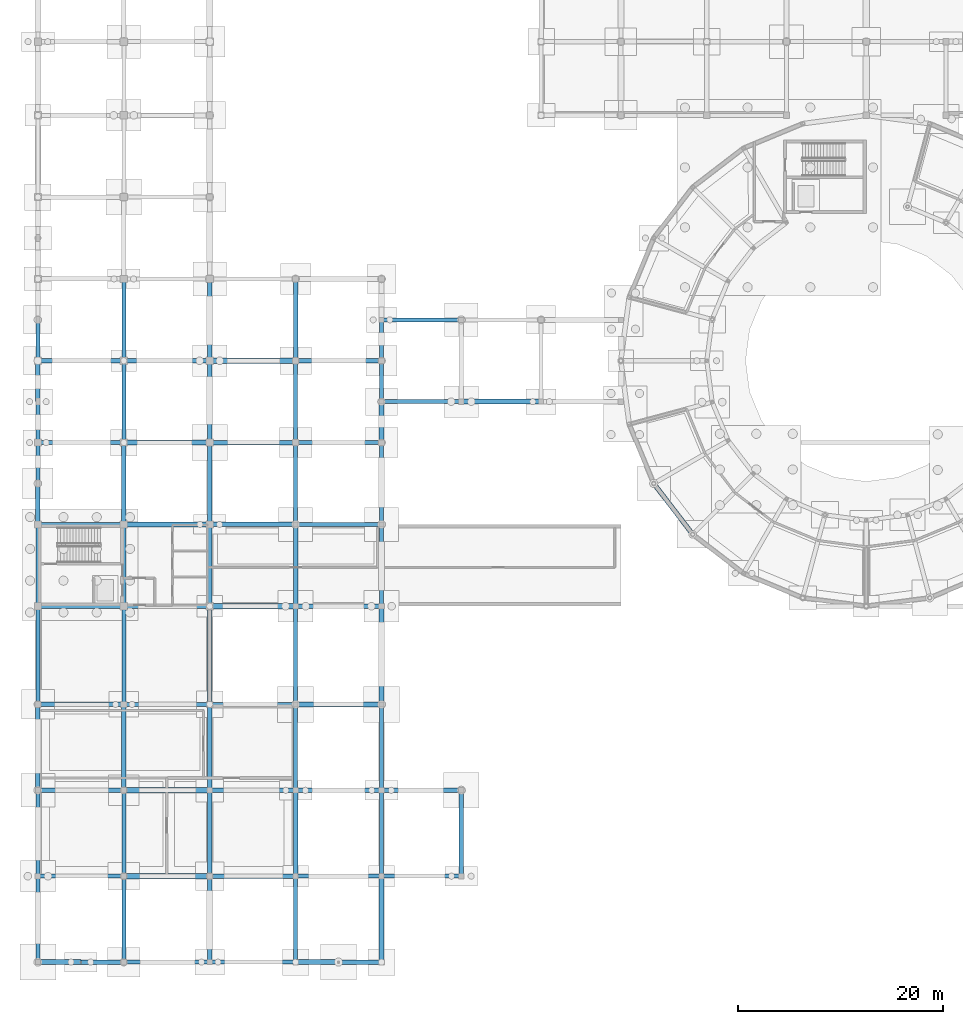
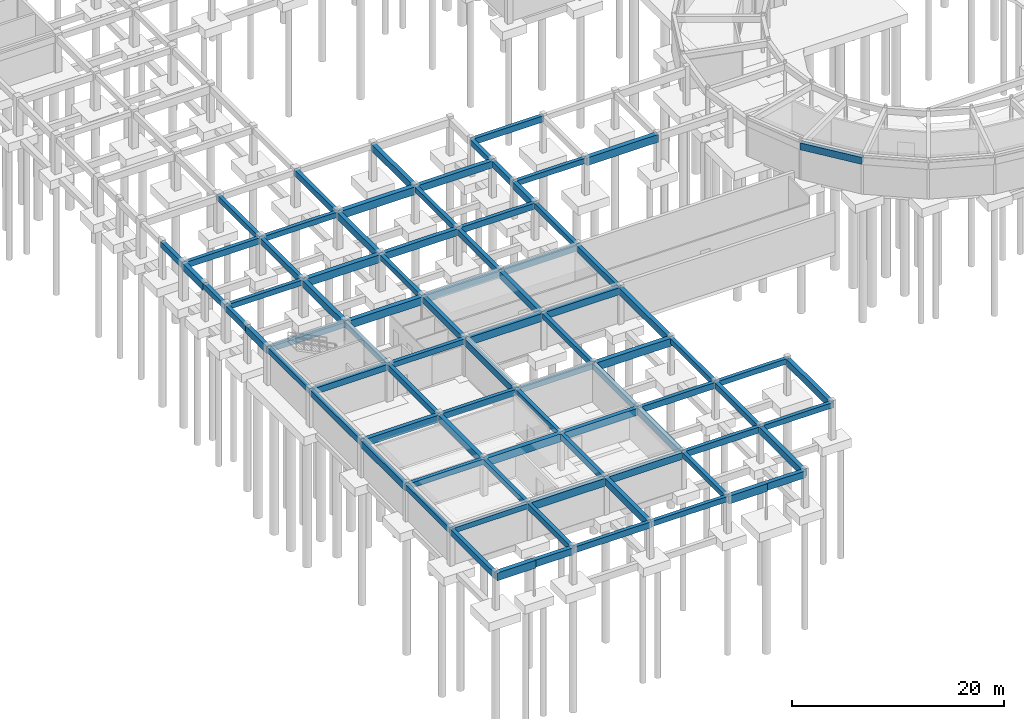
# One storey, part 24 of 43: 84 beams.
"""IFC4 building model written with IfcOpenShell, lengths in metres."""

from ifc_helpers import new_model, si_unit, derived_unit, direction, frame, origin, origin_2d, place, context, subcontext, project, spatial, rectangle, extrude, material, material_profile, profile_set, type_object, element, save


model = new_model("IFC4")

# Units and contexts
model_context = context("Model", 3, precision=1e-05, world=origin(), true_north=direction((0.0, 1.0)))
body_context = subcontext(model_context, "Body", "Model", "MODEL_VIEW")
ifc_project = project(units=[si_unit("LENGTHUNIT", "METRE"), si_unit("AREAUNIT", "SQUARE_METRE"), si_unit("VOLUMEUNIT", "CUBIC_METRE"), si_unit("PLANEANGLEUNIT", "RADIAN"), si_unit("MASSUNIT", "GRAM", prefix="KILO"), derived_unit("THERMALTRANSMITTANCEUNIT", [(si_unit("POWERUNIT", "WATT"), 1), (si_unit("AREAUNIT", "SQUARE_METRE"), -1), (si_unit("THERMODYNAMICTEMPERATUREUNIT", "KELVIN"), -1)])], contexts=[model_context])

# Site, building, storey
site_placement = place(None, origin())
site = spatial("IfcSite", under=ifc_project, at=site_placement, CompositionType="ELEMENT")
building_placement = place(site_placement, origin())
building = spatial("IfcBuilding", under=site, at=building_placement, Name="Yasenodar Specialist Clinic", CompositionType="ELEMENT")
storey_placement = place(building_placement, frame((0.0, 0.0, -4.5)))
storey = spatial("IfcBuildingStorey", under=building, at=storey_placement, Name="B1", CompositionType="ELEMENT", Elevation=-4.5)

# Beams
ifc_material = material(Name="Concrete C35/45", Category="concrete")
ifc_material_profile_1 = material_profile(ifc_material, rectangle(XDim=0.39990234375, YDim=0.60009765625, at=origin_2d()), Name="RC 400x600")
ifc_profile_set_1 = profile_set([ifc_material_profile_1], Name="Concrete C35/45")
beam_type_1 = type_object("IfcBeamType", Name="BM-RC-400x600", PredefinedType="BEAM", material=ifc_profile_set_1)
for number, where, z_axis, x_axis, name in (
    (1, (16.800048828125, 0.0, 3.93505859375), (1.0, 0.0, 0.0), (0.0, 1.0, 0.0), "B1 Primary E-W Girder"),
    (2, (0.0, 8.39990234375, 3.93505859375), (1.0, 0.0, 0.0), (0.0, 1.0, 0.0), "B1 Primary E-W Girder"),
):
    element("IfcBeam", number, at=place(storey_placement, frame(where, z_axis=z_axis, x_axis=x_axis)), inside=storey, type_object=beam_type_1, Name=name, PredefinedType="BEAM", context=body_context, shape_type="SweptSolid", body=[
        extrude(rectangle(XDim=0.39990234375, YDim=0.60009765625, at=origin_2d()), origin(), (0.0, 0.0, 1.0), 8.39990234375),
    ])
beam_1_placement = place(storey_placement, frame((33.60009765625, 8.39990234375, 3.93505859375), z_axis=(1.0, 0.0, 0.0), x_axis=(0.0, 1.0, 0.0)))
element("IfcBeam", 3, at=beam_1_placement, inside=storey, type_object=beam_type_1, Name="B1 Primary E-W Girder", PredefinedType="BEAM", context=body_context, shape_type="SweptSolid", body=[
    extrude(rectangle(XDim=0.39990234375, YDim=0.60009765625, at=origin_2d()), origin(), (0.0, 0.0, 1.0), 7.7998046875),
])
beam_2_placement = place(storey_placement, frame((0.0, 16.800048828125, 3.93505859375), z_axis=(1.0, 0.0, 0.0), x_axis=(0.0, 1.0, 0.0)))
element("IfcBeam", 4, at=beam_2_placement, inside=storey, type_object=beam_type_1, Name="B1 Primary E-W Girder", PredefinedType="BEAM", context=body_context, shape_type="SweptSolid", body=[
    extrude(rectangle(XDim=0.39990234375, YDim=0.60009765625, at=origin_2d()), origin(), (0.0, 0.0, 1.0), 8.39990234375),
])
beam_3_placement = place(storey_placement, frame((33.60009765625, 16.800048828125, 3.93505859375), z_axis=(1.0, 0.0, 0.0), x_axis=(0.0, 1.0, 0.0)))
element("IfcBeam", 5, at=beam_3_placement, inside=storey, type_object=beam_type_1, Name="B1 Primary E-W Girder", PredefinedType="BEAM", context=body_context, shape_type="SweptSolid", body=[
    extrude(rectangle(XDim=0.39990234375, YDim=0.60009765625, at=origin_2d()), origin(), (0.0, 0.0, 1.0), 7.7998046875),
])
beam_4_placement = place(storey_placement, frame((16.800048828125, 25.199951171875, 3.93505859375), z_axis=(1.0, 0.0, 0.0), x_axis=(0.0, 1.0, 0.0)))
element("IfcBeam", 6, at=beam_4_placement, inside=storey, type_object=beam_type_1, Name="B1 Primary E-W Girder", PredefinedType="BEAM", context=body_context, shape_type="SweptSolid", body=[
    extrude(rectangle(XDim=0.39990234375, YDim=0.60009765625, at=origin_2d()), origin(), (0.0, 0.0, 1.0), 8.39990234375),
])
beam_5_placement = place(storey_placement, frame((8.39990234375, 34.800048828125, 3.93505859375), z_axis=(1.0, 0.0, 0.0), x_axis=(0.0, 1.0, 0.0)))
element("IfcBeam", 7, at=beam_5_placement, inside=storey, type_object=beam_type_1, Name="B1 Primary E-W Girder", PredefinedType="BEAM", context=body_context, shape_type="SweptSolid", body=[
    extrude(rectangle(XDim=0.39990234375, YDim=0.60009765625, at=origin_2d()), origin(), (0.0, 0.0, 1.0), 8.400146484375),
])
for number, where, z_axis, x_axis, name in (
    (8, (0.0, 42.800048828125, 3.93505859375), (1.0, 0.0, 0.0), (0.0, 1.0, 0.0), "B1 Primary E-W Girder"),
    (9, (0.0, 50.800048828125, 3.93505859375), (1.0, 0.0, 0.0), (0.0, 1.0, 0.0), "B1 Primary E-W Girder"),
):
    element("IfcBeam", number, at=place(storey_placement, frame(where, z_axis=z_axis, x_axis=x_axis)), inside=storey, type_object=beam_type_1, Name=name, PredefinedType="BEAM", context=body_context, shape_type="SweptSolid", body=[
        extrude(rectangle(XDim=0.39990234375, YDim=0.60009765625, at=origin_2d()), origin(), (0.0, 0.0, 1.0), 8.39990234375),
    ])
beam_6_placement = place(storey_placement, frame((33.60009765625, 54.800048828125, 3.93505859375), z_axis=(1.0, 0.0, 0.0), x_axis=(0.0, 1.0, 0.0)))
element("IfcBeam", 10, at=beam_6_placement, inside=storey, type_object=beam_type_1, Name="B1 Primary E-W Girder", PredefinedType="BEAM", context=body_context, shape_type="SweptSolid", body=[
    extrude(rectangle(XDim=0.39990234375, YDim=0.60009765625, at=origin_2d()), origin(), (0.0, 0.0, 1.0), 7.7998046875),
])
for number, where, z_axis, x_axis, name in (
    (11, (8.39990234375, 58.800048828125, 3.93505859375), (1.0, 0.0, 0.0), (0.0, 1.0, 0.0), "B1 Primary E-W Girder"),
    (12, (0.0, 8.39990234375, 3.93505859375), (0.0, 1.0, 0.0), (-1.0, 0.0, 0.0), "B1 Primary N-S Girder"),
):
    element("IfcBeam", number, at=place(storey_placement, frame(where, z_axis=z_axis, x_axis=x_axis)), inside=storey, type_object=beam_type_1, Name=name, PredefinedType="BEAM", context=body_context, shape_type="SweptSolid", body=[
        extrude(rectangle(XDim=0.39990234375, YDim=0.60009765625, at=origin_2d()), origin(), (0.0, 0.0, 1.0), 8.400146484375),
    ])
beam_7_placement = place(storey_placement, frame((0.0, 34.800048828125, 3.93505859375), z_axis=(0.0, 1.0, 0.0), x_axis=(-1.0, 0.0, 0.0)))
element("IfcBeam", 13, at=beam_7_placement, inside=storey, type_object=beam_type_1, Name="B1 Primary N-S Girder", PredefinedType="BEAM", context=body_context, shape_type="SweptSolid", body=[
    extrude(rectangle(XDim=0.39990234375, YDim=0.60009765625, at=origin_2d()), origin(), (0.0, 0.0, 1.0), 8.0),
])
beam_8_placement = place(storey_placement, frame((0.0, 50.800048828125, 3.93505859375), z_axis=(0.0, 1.0, 0.0), x_axis=(-1.0, 0.0, 0.0)))
element("IfcBeam", 14, at=beam_8_placement, inside=storey, type_object=beam_type_1, Name="B1 Primary N-S Girder", PredefinedType="BEAM", context=body_context, shape_type="SweptSolid", body=[
    extrude(rectangle(XDim=0.39990234375, YDim=0.60009765625, at=origin_2d()), origin(), (0.0, 0.0, 1.0), 4.0),
])
beam_9_placement = place(storey_placement, frame((8.39990234375, 8.39990234375, 3.93505859375), z_axis=(0.0, 1.0, 0.0), x_axis=(-1.0, 0.0, 0.0)))
element("IfcBeam", 15, at=beam_9_placement, inside=storey, type_object=beam_type_1, Name="B1 Primary N-S Girder", PredefinedType="BEAM", context=body_context, shape_type="SweptSolid", body=[
    extrude(rectangle(XDim=0.39990234375, YDim=0.60009765625, at=origin_2d()), origin(), (0.0, 0.0, 1.0), 8.400146484375),
])
for number, where, z_axis, x_axis, name in (
    (16, (8.39990234375, 34.800048828125, 3.93505859375), (0.0, 1.0, 0.0), (-1.0, 0.0, 0.0), "B1 Primary N-S Girder"),
    (17, (8.39990234375, 58.800048828125, 3.93505859375), (0.0, 1.0, 0.0), (-1.0, 0.0, 0.0), "B1 Primary N-S Girder"),
):
    element("IfcBeam", number, at=place(storey_placement, frame(where, z_axis=z_axis, x_axis=x_axis)), inside=storey, type_object=beam_type_1, Name=name, PredefinedType="BEAM", context=body_context, shape_type="SweptSolid", body=[
        extrude(rectangle(XDim=0.39990234375, YDim=0.60009765625, at=origin_2d()), origin(), (0.0, 0.0, 1.0), 8.0),
    ])
beam_10_placement = place(storey_placement, frame((16.800048828125, 16.800048828125, 3.93505859375), z_axis=(0.0, 1.0, 0.0), x_axis=(-1.0, 0.0, 0.0)))
element("IfcBeam", 18, at=beam_10_placement, inside=storey, type_object=beam_type_1, Name="B1 Primary N-S Girder", PredefinedType="BEAM", context=body_context, shape_type="SweptSolid", body=[
    extrude(rectangle(XDim=0.39990234375, YDim=0.60009765625, at=origin_2d()), origin(), (0.0, 0.0, 1.0), 8.39990234375),
])
beam_11_placement = place(storey_placement, frame((16.800048828125, 42.800048828125, 3.93505859375), z_axis=(0.0, 1.0, 0.0), x_axis=(-1.0, 0.0, 0.0)))
element("IfcBeam", 19, at=beam_11_placement, inside=storey, type_object=beam_type_1, Name="B1 Primary N-S Girder", PredefinedType="BEAM", context=body_context, shape_type="SweptSolid", body=[
    extrude(rectangle(XDim=0.39990234375, YDim=0.60009765625, at=origin_2d()), origin(), (0.0, 0.0, 1.0), 8.0),
])
beam_12_placement = place(storey_placement, frame((25.199951171875, 0.0, 3.93505859375), z_axis=(0.0, 1.0, 0.0), x_axis=(-1.0, 0.0, 0.0)))
element("IfcBeam", 20, at=beam_12_placement, inside=storey, type_object=beam_type_1, Name="B1 Primary N-S Girder", PredefinedType="BEAM", context=body_context, shape_type="SweptSolid", body=[
    extrude(rectangle(XDim=0.39990234375, YDim=0.60009765625, at=origin_2d()), origin(), (0.0, 0.0, 1.0), 8.39990234375),
])
beam_13_placement = place(storey_placement, frame((25.199951171875, 25.199951171875, 3.93505859375), z_axis=(0.0, 1.0, 0.0), x_axis=(-1.0, 0.0, 0.0)))
element("IfcBeam", 21, at=beam_13_placement, inside=storey, type_object=beam_type_1, Name="B1 Primary N-S Girder", PredefinedType="BEAM", context=body_context, shape_type="SweptSolid", body=[
    extrude(rectangle(XDim=0.39990234375, YDim=0.60009765625, at=origin_2d()), origin(), (0.0, 0.0, 1.0), 9.60009765625),
])
beam_14_placement = place(storey_placement, frame((25.199951171875, 50.800048828125, 3.93505859375), z_axis=(0.0, 1.0, 0.0), x_axis=(-1.0, 0.0, 0.0)))
element("IfcBeam", 22, at=beam_14_placement, inside=storey, type_object=beam_type_1, Name="B1 Primary N-S Girder", PredefinedType="BEAM", context=body_context, shape_type="SweptSolid", body=[
    extrude(rectangle(XDim=0.39990234375, YDim=0.60009765625, at=origin_2d()), origin(), (0.0, 0.0, 1.0), 8.0),
])
beam_15_placement = place(storey_placement, frame((33.60009765625, 16.800048828125, 3.93505859375), z_axis=(0.0, 1.0, 0.0), x_axis=(-1.0, 0.0, 0.0)))
element("IfcBeam", 23, at=beam_15_placement, inside=storey, type_object=beam_type_1, Name="B1 Primary N-S Girder", PredefinedType="BEAM", context=body_context, shape_type="SweptSolid", body=[
    extrude(rectangle(XDim=0.39990234375, YDim=0.60009765625, at=origin_2d()), origin(), (0.0, 0.0, 1.0), 8.39990234375),
])
beam_16_placement = place(storey_placement, frame((33.60009765625, 42.800048828125, 3.93505859375), z_axis=(0.0, 1.0, 0.0), x_axis=(-1.0, 0.0, 0.0)))
element("IfcBeam", 24, at=beam_16_placement, inside=storey, type_object=beam_type_1, Name="B1 Primary N-S Girder", PredefinedType="BEAM", context=body_context, shape_type="SweptSolid", body=[
    extrude(rectangle(XDim=0.39990234375, YDim=0.60009765625, at=origin_2d()), origin(), (0.0, 0.0, 1.0), 8.0),
])
beam_17_placement = place(storey_placement, frame((33.60009765625, 58.800048828125, 3.93505859375), z_axis=(0.0, 1.0, 0.0), x_axis=(-1.0, 0.0, 0.0)))
element("IfcBeam", 25, at=beam_17_placement, inside=storey, type_object=beam_type_1, Name="B1 Primary N-S Girder", PredefinedType="BEAM", context=body_context, shape_type="SweptSolid", body=[
    extrude(rectangle(XDim=0.39990234375, YDim=0.60009765625, at=origin_2d()), origin(), (0.0, 0.0, 1.0), 4.0),
])
ifc_material_profile_2 = material_profile(ifc_material, rectangle(XDim=0.39990234375, YDim=0.699951171875, at=origin_2d()), Name="RC 400x700")
ifc_profile_set_2 = profile_set([ifc_material_profile_2], Name="Concrete C35/45")
beam_type_2 = type_object("IfcBeamType", Name="BM-RC-400x700", PredefinedType="BEAM", material=ifc_profile_set_2)
for number, where, z_axis, x_axis, name in (
    (26, (8.39990234375, 0.0, 3.885009765625), (1.0, 0.0, 0.0), (0.0, 1.0, 0.0), "B1 Primary E-W Girder"),
    (27, (25.199951171875, 8.39990234375, 3.885009765625), (1.0, 0.0, 0.0), (0.0, 1.0, 0.0), "B1 Primary E-W Girder"),
    (28, (25.199951171875, 16.800048828125, 3.885009765625), (1.0, 0.0, 0.0), (0.0, 1.0, 0.0), "B1 Primary E-W Girder"),
    (29, (8.39990234375, 25.199951171875, 3.885009765625), (1.0, 0.0, 0.0), (0.0, 1.0, 0.0), "B1 Primary E-W Girder"),
):
    element("IfcBeam", number, at=place(storey_placement, frame(where, z_axis=z_axis, x_axis=x_axis)), inside=storey, type_object=beam_type_2, Name=name, PredefinedType="BEAM", context=body_context, shape_type="SweptSolid", body=[
        extrude(rectangle(XDim=0.39990234375, YDim=0.699951171875, at=origin_2d()), origin(), (0.0, 0.0, 1.0), 8.400146484375),
    ])
beam_18_placement = place(storey_placement, frame((0.0, 34.800048828125, 3.885009765625), z_axis=(1.0, 0.0, 0.0), x_axis=(0.0, 1.0, 0.0)))
element("IfcBeam", 30, at=beam_18_placement, inside=storey, type_object=beam_type_2, Name="B1 Primary E-W Girder", PredefinedType="BEAM", context=body_context, shape_type="SweptSolid", body=[
    extrude(rectangle(XDim=0.39990234375, YDim=0.699951171875, at=origin_2d()), origin(), (0.0, 0.0, 1.0), 8.39990234375),
])
for number, where, z_axis, x_axis, name in (
    (31, (25.199951171875, 42.800048828125, 3.885009765625), (1.0, 0.0, 0.0), (0.0, 1.0, 0.0), "B1 Primary E-W Girder"),
    (32, (25.199951171875, 50.800048828125, 3.885009765625), (1.0, 0.0, 0.0), (0.0, 1.0, 0.0), "B1 Primary E-W Girder"),
):
    element("IfcBeam", number, at=place(storey_placement, frame(where, z_axis=z_axis, x_axis=x_axis)), inside=storey, type_object=beam_type_2, Name=name, PredefinedType="BEAM", context=body_context, shape_type="SweptSolid", body=[
        extrude(rectangle(XDim=0.39990234375, YDim=0.699951171875, at=origin_2d()), origin(), (0.0, 0.0, 1.0), 8.400146484375),
    ])
beam_19_placement = place(storey_placement, frame((0.0, 58.800048828125, 3.885009765625), z_axis=(1.0, 0.0, 0.0), x_axis=(0.0, 1.0, 0.0)))
element("IfcBeam", 33, at=beam_19_placement, inside=storey, type_object=beam_type_2, Name="B1 Primary E-W Girder", PredefinedType="BEAM", context=body_context, shape_type="SweptSolid", body=[
    extrude(rectangle(XDim=0.39990234375, YDim=0.699951171875, at=origin_2d()), origin(), (0.0, 0.0, 1.0), 8.39990234375),
])
beam_20_placement = place(storey_placement, frame((33.60009765625, 62.800048828125, 3.885009765625), z_axis=(1.0, 0.0, 0.0), x_axis=(0.0, 1.0, 0.0)))
element("IfcBeam", 34, at=beam_20_placement, inside=storey, type_object=beam_type_2, Name="B1 Primary E-W Girder", PredefinedType="BEAM", context=body_context, shape_type="SweptSolid", body=[
    extrude(rectangle(XDim=0.39990234375, YDim=0.699951171875, at=origin_2d()), origin(), (0.0, 0.0, 1.0), 7.7998046875),
])
beam_21_placement = place(storey_placement, frame((0.0, 0.0, 3.885009765625), z_axis=(0.0, 1.0, 0.0), x_axis=(-1.0, 0.0, 0.0)))
element("IfcBeam", 35, at=beam_21_placement, inside=storey, type_object=beam_type_2, Name="B1 Primary N-S Girder", PredefinedType="BEAM", context=body_context, shape_type="SweptSolid", body=[
    extrude(rectangle(XDim=0.39990234375, YDim=0.699951171875, at=origin_2d()), origin(), (0.0, 0.0, 1.0), 8.39990234375),
])
beam_22_placement = place(storey_placement, frame((0.0, 25.199951171875, 3.885009765625), z_axis=(0.0, 1.0, 0.0), x_axis=(-1.0, 0.0, 0.0)))
element("IfcBeam", 36, at=beam_22_placement, inside=storey, type_object=beam_type_2, Name="B1 Primary N-S Girder", PredefinedType="BEAM", context=body_context, shape_type="SweptSolid", body=[
    extrude(rectangle(XDim=0.39990234375, YDim=0.699951171875, at=origin_2d()), origin(), (0.0, 0.0, 1.0), 9.60009765625),
])
for number, where, z_axis, x_axis, name in (
    (37, (0.0, 46.800048828125, 3.885009765625), (0.0, 1.0, 0.0), (-1.0, 0.0, 0.0), "B1 Primary N-S Girder"),
    (38, (0.0, 58.800048828125, 3.885009765625), (0.0, 1.0, 0.0), (-1.0, 0.0, 0.0), "B1 Primary N-S Girder"),
):
    element("IfcBeam", number, at=place(storey_placement, frame(where, z_axis=z_axis, x_axis=x_axis)), inside=storey, type_object=beam_type_2, Name=name, PredefinedType="BEAM", context=body_context, shape_type="SweptSolid", body=[
        extrude(rectangle(XDim=0.39990234375, YDim=0.699951171875, at=origin_2d()), origin(), (0.0, 0.0, 1.0), 4.0),
    ])
beam_23_placement = place(storey_placement, frame((8.39990234375, 0.0, 3.885009765625), z_axis=(0.0, 1.0, 0.0), x_axis=(-1.0, 0.0, 0.0)))
element("IfcBeam", 39, at=beam_23_placement, inside=storey, type_object=beam_type_2, Name="B1 Primary N-S Girder", PredefinedType="BEAM", context=body_context, shape_type="SweptSolid", body=[
    extrude(rectangle(XDim=0.39990234375, YDim=0.699951171875, at=origin_2d()), origin(), (0.0, 0.0, 1.0), 8.39990234375),
])
beam_24_placement = place(storey_placement, frame((8.39990234375, 25.199951171875, 3.885009765625), z_axis=(0.0, 1.0, 0.0), x_axis=(-1.0, 0.0, 0.0)))
element("IfcBeam", 40, at=beam_24_placement, inside=storey, type_object=beam_type_2, Name="B1 Primary N-S Girder", PredefinedType="BEAM", context=body_context, shape_type="SweptSolid", body=[
    extrude(rectangle(XDim=0.39990234375, YDim=0.699951171875, at=origin_2d()), origin(), (0.0, 0.0, 1.0), 9.60009765625),
])
beam_25_placement = place(storey_placement, frame((8.39990234375, 50.800048828125, 3.885009765625), z_axis=(0.0, 1.0, 0.0), x_axis=(-1.0, 0.0, 0.0)))
element("IfcBeam", 41, at=beam_25_placement, inside=storey, type_object=beam_type_2, Name="B1 Primary N-S Girder", PredefinedType="BEAM", context=body_context, shape_type="SweptSolid", body=[
    extrude(rectangle(XDim=0.39990234375, YDim=0.699951171875, at=origin_2d()), origin(), (0.0, 0.0, 1.0), 8.0),
])
beam_26_placement = place(storey_placement, frame((16.800048828125, 8.39990234375, 3.885009765625), z_axis=(0.0, 1.0, 0.0), x_axis=(-1.0, 0.0, 0.0)))
element("IfcBeam", 42, at=beam_26_placement, inside=storey, type_object=beam_type_2, Name="B1 Primary N-S Girder", PredefinedType="BEAM", context=body_context, shape_type="SweptSolid", body=[
    extrude(rectangle(XDim=0.39990234375, YDim=0.699951171875, at=origin_2d()), origin(), (0.0, 0.0, 1.0), 8.400146484375),
])
for number, where, z_axis, x_axis, name in (
    (43, (16.800048828125, 34.800048828125, 3.885009765625), (0.0, 1.0, 0.0), (-1.0, 0.0, 0.0), "B1 Primary N-S Girder"),
    (44, (16.800048828125, 58.800048828125, 3.885009765625), (0.0, 1.0, 0.0), (-1.0, 0.0, 0.0), "B1 Primary N-S Girder"),
):
    element("IfcBeam", number, at=place(storey_placement, frame(where, z_axis=z_axis, x_axis=x_axis)), inside=storey, type_object=beam_type_2, Name=name, PredefinedType="BEAM", context=body_context, shape_type="SweptSolid", body=[
        extrude(rectangle(XDim=0.39990234375, YDim=0.699951171875, at=origin_2d()), origin(), (0.0, 0.0, 1.0), 8.0),
    ])
beam_27_placement = place(storey_placement, frame((25.199951171875, 16.800048828125, 3.885009765625), z_axis=(0.0, 1.0, 0.0), x_axis=(-1.0, 0.0, 0.0)))
element("IfcBeam", 45, at=beam_27_placement, inside=storey, type_object=beam_type_2, Name="B1 Primary N-S Girder", PredefinedType="BEAM", context=body_context, shape_type="SweptSolid", body=[
    extrude(rectangle(XDim=0.39990234375, YDim=0.699951171875, at=origin_2d()), origin(), (0.0, 0.0, 1.0), 8.39990234375),
])
beam_28_placement = place(storey_placement, frame((25.199951171875, 42.800048828125, 3.885009765625), z_axis=(0.0, 1.0, 0.0), x_axis=(-1.0, 0.0, 0.0)))
element("IfcBeam", 46, at=beam_28_placement, inside=storey, type_object=beam_type_2, Name="B1 Primary N-S Girder", PredefinedType="BEAM", context=body_context, shape_type="SweptSolid", body=[
    extrude(rectangle(XDim=0.39990234375, YDim=0.699951171875, at=origin_2d()), origin(), (0.0, 0.0, 1.0), 8.0),
])
beam_29_placement = place(storey_placement, frame((33.60009765625, 8.39990234375, 3.885009765625), z_axis=(0.0, 1.0, 0.0), x_axis=(-1.0, 0.0, 0.0)))
element("IfcBeam", 47, at=beam_29_placement, inside=storey, type_object=beam_type_2, Name="B1 Primary N-S Girder", PredefinedType="BEAM", context=body_context, shape_type="SweptSolid", body=[
    extrude(rectangle(XDim=0.39990234375, YDim=0.699951171875, at=origin_2d()), origin(), (0.0, 0.0, 1.0), 8.400146484375),
])
beam_30_placement = place(storey_placement, frame((33.60009765625, 34.800048828125, 3.885009765625), z_axis=(0.0, 1.0, 0.0), x_axis=(-1.0, 0.0, 0.0)))
element("IfcBeam", 48, at=beam_30_placement, inside=storey, type_object=beam_type_2, Name="B1 Primary N-S Girder", PredefinedType="BEAM", context=body_context, shape_type="SweptSolid", body=[
    extrude(rectangle(XDim=0.39990234375, YDim=0.699951171875, at=origin_2d()), origin(), (0.0, 0.0, 1.0), 8.0),
])
beam_31_placement = place(storey_placement, frame((33.60009765625, 54.800048828125, 3.885009765625), z_axis=(0.0, 1.0, 0.0), x_axis=(-1.0, 0.0, 0.0)))
element("IfcBeam", 49, at=beam_31_placement, inside=storey, type_object=beam_type_2, Name="B1 Primary N-S Girder", PredefinedType="BEAM", context=body_context, shape_type="SweptSolid", body=[
    extrude(rectangle(XDim=0.39990234375, YDim=0.699951171875, at=origin_2d()), origin(), (0.0, 0.0, 1.0), 4.0),
])
ifc_material_profile_3 = material_profile(ifc_material, rectangle(XDim=0.449951171875, YDim=0.800048828125, at=origin_2d()), Name="RC 450x800")
ifc_profile_set_3 = profile_set([ifc_material_profile_3], Name="Concrete C35/45")
beam_type_3 = type_object("IfcBeamType", Name="BM-RC-450x800", PredefinedType="BEAM", material=ifc_profile_set_3)
beam_32_placement = place(storey_placement, frame((4.199951171875, 0.0, 3.8349609375), z_axis=(1.0, 0.0, 0.0), x_axis=(0.0, 1.0, 0.0)))
element("IfcBeam", 50, at=beam_32_placement, inside=storey, type_object=beam_type_3, Name="B1 Primary E-W Girder", PredefinedType="BEAM", context=body_context, shape_type="SweptSolid", body=[
    extrude(rectangle(XDim=0.449951171875, YDim=0.800048828125, at=origin_2d()), origin(), (0.0, 0.0, 1.0), 4.199951171875),
])
beam_33_placement = place(storey_placement, frame((29.39990234375, 0.0, 3.8349609375), z_axis=(1.0, 0.0, 0.0), x_axis=(0.0, 1.0, 0.0)))
element("IfcBeam", 51, at=beam_33_placement, inside=storey, type_object=beam_type_3, Name="B1 Primary E-W Girder", PredefinedType="BEAM", context=body_context, shape_type="SweptSolid", body=[
    extrude(rectangle(XDim=0.449951171875, YDim=0.800048828125, at=origin_2d()), origin(), (0.0, 0.0, 1.0), 4.2001953125),
])
for number, where, z_axis, x_axis, name in (
    (52, (16.800048828125, 8.39990234375, 3.8349609375), (1.0, 0.0, 0.0), (0.0, 1.0, 0.0), "B1 Primary E-W Girder"),
    (53, (16.800048828125, 16.800048828125, 3.8349609375), (1.0, 0.0, 0.0), (0.0, 1.0, 0.0), "B1 Primary E-W Girder"),
    (54, (0.0, 25.199951171875, 3.8349609375), (1.0, 0.0, 0.0), (0.0, 1.0, 0.0), "B1 Primary E-W Girder"),
):
    element("IfcBeam", number, at=place(storey_placement, frame(where, z_axis=z_axis, x_axis=x_axis)), inside=storey, type_object=beam_type_3, Name=name, PredefinedType="BEAM", context=body_context, shape_type="SweptSolid", body=[
        extrude(rectangle(XDim=0.449951171875, YDim=0.800048828125, at=origin_2d()), origin(), (0.0, 0.0, 1.0), 8.39990234375),
    ])
beam_34_placement = place(storey_placement, frame((25.199951171875, 34.800048828125, 3.8349609375), z_axis=(1.0, 0.0, 0.0), x_axis=(0.0, 1.0, 0.0)))
element("IfcBeam", 55, at=beam_34_placement, inside=storey, type_object=beam_type_3, Name="B1 Primary E-W Girder", PredefinedType="BEAM", context=body_context, shape_type="SweptSolid", body=[
    extrude(rectangle(XDim=0.449951171875, YDim=0.800048828125, at=origin_2d()), origin(), (0.0, 0.0, 1.0), 8.400146484375),
])
for number, where, z_axis, x_axis, name in (
    (56, (16.800048828125, 42.800048828125, 3.8349609375), (1.0, 0.0, 0.0), (0.0, 1.0, 0.0), "B1 Primary E-W Girder"),
    (57, (16.800048828125, 50.800048828125, 3.8349609375), (1.0, 0.0, 0.0), (0.0, 1.0, 0.0), "B1 Primary E-W Girder"),
):
    element("IfcBeam", number, at=place(storey_placement, frame(where, z_axis=z_axis, x_axis=x_axis)), inside=storey, type_object=beam_type_3, Name=name, PredefinedType="BEAM", context=body_context, shape_type="SweptSolid", body=[
        extrude(rectangle(XDim=0.449951171875, YDim=0.800048828125, at=origin_2d()), origin(), (0.0, 0.0, 1.0), 8.39990234375),
    ])
beam_35_placement = place(storey_placement, frame((25.199951171875, 58.800048828125, 3.8349609375), z_axis=(1.0, 0.0, 0.0), x_axis=(0.0, 1.0, 0.0)))
element("IfcBeam", 58, at=beam_35_placement, inside=storey, type_object=beam_type_3, Name="B1 Primary E-W Girder", PredefinedType="BEAM", context=body_context, shape_type="SweptSolid", body=[
    extrude(rectangle(XDim=0.449951171875, YDim=0.800048828125, at=origin_2d()), origin(), (0.0, 0.0, 1.0), 8.400146484375),
])
beam_36_placement = place(storey_placement, frame((0.0, 16.800048828125, 3.8349609375), z_axis=(0.0, 1.0, 0.0), x_axis=(-1.0, 0.0, 0.0)))
element("IfcBeam", 59, at=beam_36_placement, inside=storey, type_object=beam_type_3, Name="B1 Primary N-S Girder", PredefinedType="BEAM", context=body_context, shape_type="SweptSolid", body=[
    extrude(rectangle(XDim=0.449951171875, YDim=0.800048828125, at=origin_2d()), origin(), (0.0, 0.0, 1.0), 8.39990234375),
])
for number, where, z_axis, x_axis, name in (
    (60, (0.0, 42.800048828125, 3.8349609375), (0.0, 1.0, 0.0), (-1.0, 0.0, 0.0), "B1 Primary N-S Girder"),
    (61, (0.0, 54.800048828125, 3.8349609375), (0.0, 1.0, 0.0), (-1.0, 0.0, 0.0), "B1 Primary N-S Girder"),
):
    element("IfcBeam", number, at=place(storey_placement, frame(where, z_axis=z_axis, x_axis=x_axis)), inside=storey, type_object=beam_type_3, Name=name, PredefinedType="BEAM", context=body_context, shape_type="SweptSolid", body=[
        extrude(rectangle(XDim=0.449951171875, YDim=0.800048828125, at=origin_2d()), origin(), (0.0, 0.0, 1.0), 4.0),
    ])
beam_37_placement = place(storey_placement, frame((8.39990234375, 16.800048828125, 3.8349609375), z_axis=(0.0, 1.0, 0.0), x_axis=(-1.0, 0.0, 0.0)))
element("IfcBeam", 62, at=beam_37_placement, inside=storey, type_object=beam_type_3, Name="B1 Primary N-S Girder", PredefinedType="BEAM", context=body_context, shape_type="SweptSolid", body=[
    extrude(rectangle(XDim=0.449951171875, YDim=0.800048828125, at=origin_2d()), origin(), (0.0, 0.0, 1.0), 8.39990234375),
])
beam_38_placement = place(storey_placement, frame((8.39990234375, 42.800048828125, 3.8349609375), z_axis=(0.0, 1.0, 0.0), x_axis=(-1.0, 0.0, 0.0)))
element("IfcBeam", 63, at=beam_38_placement, inside=storey, type_object=beam_type_3, Name="B1 Primary N-S Girder", PredefinedType="BEAM", context=body_context, shape_type="SweptSolid", body=[
    extrude(rectangle(XDim=0.449951171875, YDim=0.800048828125, at=origin_2d()), origin(), (0.0, 0.0, 1.0), 8.0),
])
beam_39_placement = place(storey_placement, frame((16.800048828125, 0.0, 3.8349609375), z_axis=(0.0, 1.0, 0.0), x_axis=(-1.0, 0.0, 0.0)))
element("IfcBeam", 64, at=beam_39_placement, inside=storey, type_object=beam_type_3, Name="B1 Primary N-S Girder", PredefinedType="BEAM", context=body_context, shape_type="SweptSolid", body=[
    extrude(rectangle(XDim=0.449951171875, YDim=0.800048828125, at=origin_2d()), origin(), (0.0, 0.0, 1.0), 8.39990234375),
])
beam_40_placement = place(storey_placement, frame((16.800048828125, 25.199951171875, 3.8349609375), z_axis=(0.0, 1.0, 0.0), x_axis=(-1.0, 0.0, 0.0)))
element("IfcBeam", 65, at=beam_40_placement, inside=storey, type_object=beam_type_3, Name="B1 Primary N-S Girder", PredefinedType="BEAM", context=body_context, shape_type="SweptSolid", body=[
    extrude(rectangle(XDim=0.449951171875, YDim=0.800048828125, at=origin_2d()), origin(), (0.0, 0.0, 1.0), 9.60009765625),
])
beam_41_placement = place(storey_placement, frame((16.800048828125, 50.800048828125, 3.8349609375), z_axis=(0.0, 1.0, 0.0), x_axis=(-1.0, 0.0, 0.0)))
element("IfcBeam", 66, at=beam_41_placement, inside=storey, type_object=beam_type_3, Name="B1 Primary N-S Girder", PredefinedType="BEAM", context=body_context, shape_type="SweptSolid", body=[
    extrude(rectangle(XDim=0.449951171875, YDim=0.800048828125, at=origin_2d()), origin(), (0.0, 0.0, 1.0), 8.0),
])
beam_42_placement = place(storey_placement, frame((25.199951171875, 8.39990234375, 3.8349609375), z_axis=(0.0, 1.0, 0.0), x_axis=(-1.0, 0.0, 0.0)))
element("IfcBeam", 67, at=beam_42_placement, inside=storey, type_object=beam_type_3, Name="B1 Primary N-S Girder", PredefinedType="BEAM", context=body_context, shape_type="SweptSolid", body=[
    extrude(rectangle(XDim=0.449951171875, YDim=0.800048828125, at=origin_2d()), origin(), (0.0, 0.0, 1.0), 8.400146484375),
])
for number, where, z_axis, x_axis, name in (
    (68, (25.199951171875, 34.800048828125, 3.8349609375), (0.0, 1.0, 0.0), (-1.0, 0.0, 0.0), "B1 Primary N-S Girder"),
    (69, (25.199951171875, 58.800048828125, 3.8349609375), (0.0, 1.0, 0.0), (-1.0, 0.0, 0.0), "B1 Primary N-S Girder"),
):
    element("IfcBeam", number, at=place(storey_placement, frame(where, z_axis=z_axis, x_axis=x_axis)), inside=storey, type_object=beam_type_3, Name=name, PredefinedType="BEAM", context=body_context, shape_type="SweptSolid", body=[
        extrude(rectangle(XDim=0.449951171875, YDim=0.800048828125, at=origin_2d()), origin(), (0.0, 0.0, 1.0), 8.0),
    ])
beam_43_placement = place(storey_placement, frame((33.60009765625, 0.0, 3.8349609375), z_axis=(0.0, 1.0, 0.0), x_axis=(-1.0, 0.0, 0.0)))
element("IfcBeam", 70, at=beam_43_placement, inside=storey, type_object=beam_type_3, Name="B1 Primary N-S Girder", PredefinedType="BEAM", context=body_context, shape_type="SweptSolid", body=[
    extrude(rectangle(XDim=0.449951171875, YDim=0.800048828125, at=origin_2d()), origin(), (0.0, 0.0, 1.0), 8.39990234375),
])
beam_44_placement = place(storey_placement, frame((33.60009765625, 25.199951171875, 3.8349609375), z_axis=(0.0, 1.0, 0.0), x_axis=(-1.0, 0.0, 0.0)))
element("IfcBeam", 71, at=beam_44_placement, inside=storey, type_object=beam_type_3, Name="B1 Primary N-S Girder", PredefinedType="BEAM", context=body_context, shape_type="SweptSolid", body=[
    extrude(rectangle(XDim=0.449951171875, YDim=0.800048828125, at=origin_2d()), origin(), (0.0, 0.0, 1.0), 9.60009765625),
])
beam_45_placement = place(storey_placement, frame((33.60009765625, 50.800048828125, 3.8349609375), z_axis=(0.0, 1.0, 0.0), x_axis=(-1.0, 0.0, 0.0)))
element("IfcBeam", 72, at=beam_45_placement, inside=storey, type_object=beam_type_3, Name="B1 Primary N-S Girder", PredefinedType="BEAM", context=body_context, shape_type="SweptSolid", body=[
    extrude(rectangle(XDim=0.449951171875, YDim=0.800048828125, at=origin_2d()), origin(), (0.0, 0.0, 1.0), 4.0),
])
beam_46_placement = place(storey_placement, frame((41.39990234375, 8.39990234375, 3.8349609375), z_axis=(0.0, 1.0, 0.0), x_axis=(-1.0, 0.0, 0.0)))
element("IfcBeam", 73, at=beam_46_placement, inside=storey, type_object=beam_type_3, Name="B1 Primary N-S Girder", PredefinedType="BEAM", context=body_context, shape_type="SweptSolid", body=[
    extrude(rectangle(XDim=0.449951171875, YDim=0.800048828125, at=origin_2d()), origin(), (0.0, 0.0, 1.0), 8.400146484375),
])
beam_47_placement = place(storey_placement, frame((60.21533203125, 46.800048828125, 3.8349609375), z_axis=(0.608742360322, -0.793367971845, 0.0), x_axis=(0.793367971845, 0.608742360322, 0.0)))
element("IfcBeam", 74, at=beam_47_placement, inside=storey, type_object=beam_type_3, Name="B1 Drum V1 Perimeter Ring Beam", PredefinedType="BEAM", context=body_context, shape_type="SweptSolid", body=[
    extrude(rectangle(XDim=0.449951171875, YDim=0.800048828125, at=origin_2d()), origin(), (0.0, 0.0, 1.0), 6.265380859375),
])
ifc_material_profile_4 = material_profile(ifc_material, rectangle(XDim=0.5, YDim=0.89990234375, at=origin_2d()), Name="RC 500x900")
ifc_profile_set_4 = profile_set([ifc_material_profile_4], Name="Concrete C35/45")
beam_type_4 = type_object("IfcBeamType", Name="BM-RC-500x900", PredefinedType="BEAM", material=ifc_profile_set_4)
for number, where, z_axis, x_axis, name in (
    (75, (0.0, 0.0, 3.784912109375), (1.0, 0.0, 0.0), (0.0, 1.0, 0.0), "B1 Primary E-W Girder"),
    (76, (25.199951171875, 0.0, 3.784912109375), (1.0, 0.0, 0.0), (0.0, 1.0, 0.0), "B1 Primary E-W Girder"),
):
    element("IfcBeam", number, at=place(storey_placement, frame(where, z_axis=z_axis, x_axis=x_axis)), inside=storey, type_object=beam_type_4, Name=name, PredefinedType="BEAM", context=body_context, shape_type="SweptSolid", body=[
        extrude(rectangle(XDim=0.5, YDim=0.89990234375, at=origin_2d()), origin(), (0.0, 0.0, 1.0), 4.199951171875),
    ])
for number, where, z_axis, x_axis, name in (
    (77, (8.39990234375, 8.39990234375, 3.784912109375), (1.0, 0.0, 0.0), (0.0, 1.0, 0.0), "B1 Primary E-W Girder"),
    (78, (8.39990234375, 16.800048828125, 3.784912109375), (1.0, 0.0, 0.0), (0.0, 1.0, 0.0), "B1 Primary E-W Girder"),
    (79, (25.199951171875, 25.199951171875, 3.784912109375), (1.0, 0.0, 0.0), (0.0, 1.0, 0.0), "B1 Primary E-W Girder"),
):
    element("IfcBeam", number, at=place(storey_placement, frame(where, z_axis=z_axis, x_axis=x_axis)), inside=storey, type_object=beam_type_4, Name=name, PredefinedType="BEAM", context=body_context, shape_type="SweptSolid", body=[
        extrude(rectangle(XDim=0.5, YDim=0.89990234375, at=origin_2d()), origin(), (0.0, 0.0, 1.0), 8.400146484375),
    ])
beam_48_placement = place(storey_placement, frame((16.800048828125, 34.800048828125, 3.784912109375), z_axis=(1.0, 0.0, 0.0), x_axis=(0.0, 1.0, 0.0)))
element("IfcBeam", 80, at=beam_48_placement, inside=storey, type_object=beam_type_4, Name="B1 Primary E-W Girder", PredefinedType="BEAM", context=body_context, shape_type="SweptSolid", body=[
    extrude(rectangle(XDim=0.5, YDim=0.89990234375, at=origin_2d()), origin(), (0.0, 0.0, 1.0), 8.39990234375),
])
for number, where, z_axis, x_axis, name in (
    (81, (8.39990234375, 42.800048828125, 3.784912109375), (1.0, 0.0, 0.0), (0.0, 1.0, 0.0), "B1 Primary E-W Girder"),
    (82, (8.39990234375, 50.800048828125, 3.784912109375), (1.0, 0.0, 0.0), (0.0, 1.0, 0.0), "B1 Primary E-W Girder"),
):
    element("IfcBeam", number, at=place(storey_placement, frame(where, z_axis=z_axis, x_axis=x_axis)), inside=storey, type_object=beam_type_4, Name=name, PredefinedType="BEAM", context=body_context, shape_type="SweptSolid", body=[
        extrude(rectangle(XDim=0.5, YDim=0.89990234375, at=origin_2d()), origin(), (0.0, 0.0, 1.0), 8.400146484375),
    ])
beam_49_placement = place(storey_placement, frame((41.39990234375, 54.800048828125, 3.784912109375), z_axis=(1.0, 0.0, 0.0), x_axis=(0.0, 1.0, 0.0)))
element("IfcBeam", 83, at=beam_49_placement, inside=storey, type_object=beam_type_4, Name="B1 Primary E-W Girder", PredefinedType="BEAM", context=body_context, shape_type="SweptSolid", body=[
    extrude(rectangle(XDim=0.5, YDim=0.89990234375, at=origin_2d()), origin(), (0.0, 0.0, 1.0), 7.800048828125),
])
beam_50_placement = place(storey_placement, frame((16.800048828125, 58.800048828125, 3.784912109375), z_axis=(1.0, 0.0, 0.0), x_axis=(0.0, 1.0, 0.0)))
element("IfcBeam", 84, at=beam_50_placement, inside=storey, type_object=beam_type_4, Name="B1 Primary E-W Girder", PredefinedType="BEAM", context=body_context, shape_type="SweptSolid", body=[
    extrude(rectangle(XDim=0.5, YDim=0.89990234375, at=origin_2d()), origin(), (0.0, 0.0, 1.0), 8.39990234375),
])

save(model, "model.ifc")
